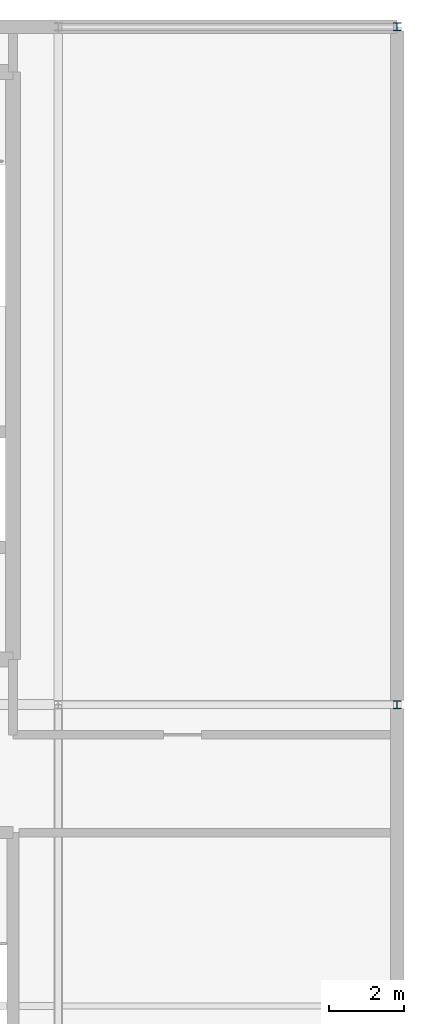
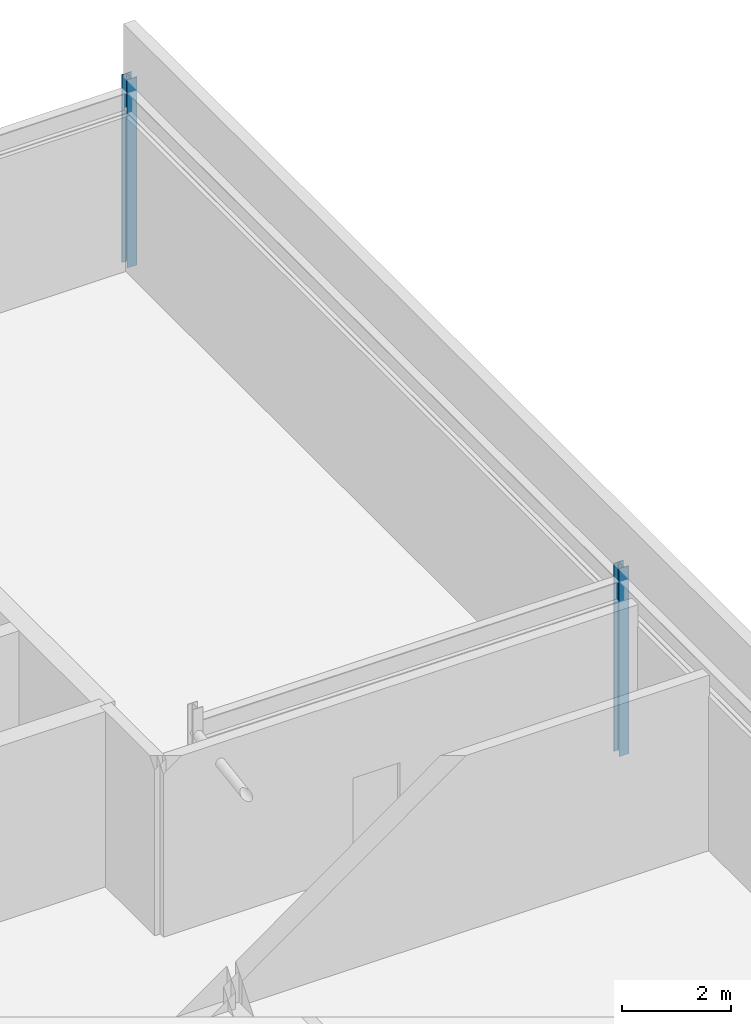
# One storey, part 11 of 23: 2 columns.
"""IFC4 building model written with IfcOpenShell, lengths in metres."""

from ifc_helpers import new_model, si_unit, direction, frame, origin, origin_2d, place, context, subcontext, project, spatial, i_section, extrude, material, material_profile, profile_set, type_object, element, save


model = new_model("IFC4")

# Units and contexts
model_context = context("Model", 3, precision=1e-05, world=origin(), true_north=direction((0.0, 1.0)))
body_context = subcontext(model_context, "Body", "Model", "MODEL_VIEW")
ifc_project = project(units=[si_unit("LENGTHUNIT", "METRE"), si_unit("AREAUNIT", "SQUARE_METRE"), si_unit("VOLUMEUNIT", "CUBIC_METRE"), si_unit("PLANEANGLEUNIT", "RADIAN"), si_unit("MASSUNIT", "GRAM", prefix="KILO")], contexts=[model_context])

# Site, building, storey
site_placement = place(None, origin())
site = spatial("IfcSite", under=ifc_project, at=site_placement, CompositionType="ELEMENT")
building_placement = place(site_placement, origin())
building = spatial("IfcBuilding", under=site, at=building_placement, Name="Kisiwana Market Hall", CompositionType="ELEMENT")
storey_placement = place(building_placement, frame((0.0, 0.0, 65.699951171875)))
storey = spatial("IfcBuildingStorey", under=building, at=storey_placement, Name="L15", CompositionType="ELEMENT", Elevation=65.699951171875)

# Columns
ifc_material = material(Name="Steel S355", Category="steel")
ifc_material_profile = material_profile(ifc_material, i_section(OverallWidth=0.205810546875, OverallDepth=0.209716796875, WebThickness=0.009521484375, FlangeThickness=0.01416015625, FilletRadius=0.01025390625, at=origin_2d()), Name="UC 203x203x60")
ifc_profile_set = profile_set([ifc_material_profile], Name="Steel S355")
column_type = type_object("IfcColumnType", Name="COL-STL-UC060", PredefinedType="COLUMN", material=ifc_profile_set)
for number, where, z_axis, x_axis, name in (
    (1, (198.0, 84.0, 0.0), (0.0, 0.0, 1.0), (1.0, 0.0, 0.0), "Column L/23 (L15) C-1506"),
    (2, (198.0, 102.0, 0.0), (0.0, 0.0, 1.0), (1.0, 0.0, 0.0), "Column N/23 (L15) C-1507"),
):
    element("IfcColumn", number, at=place(storey_placement, frame(where, z_axis=z_axis, x_axis=x_axis)), inside=storey, type_object=column_type, Name=name, PredefinedType="COLUMN", context=body_context, shape_type="SweptSolid", body=[
        extrude(i_section(OverallWidth=0.205810546875, OverallDepth=0.209716796875, WebThickness=0.009521484375, FlangeThickness=0.01416015625, FilletRadius=0.01025390625, at=origin_2d()), origin(), (0.0, 0.0, 1.0), 4.199951171875),
    ])

save(model, "model.ifc")
